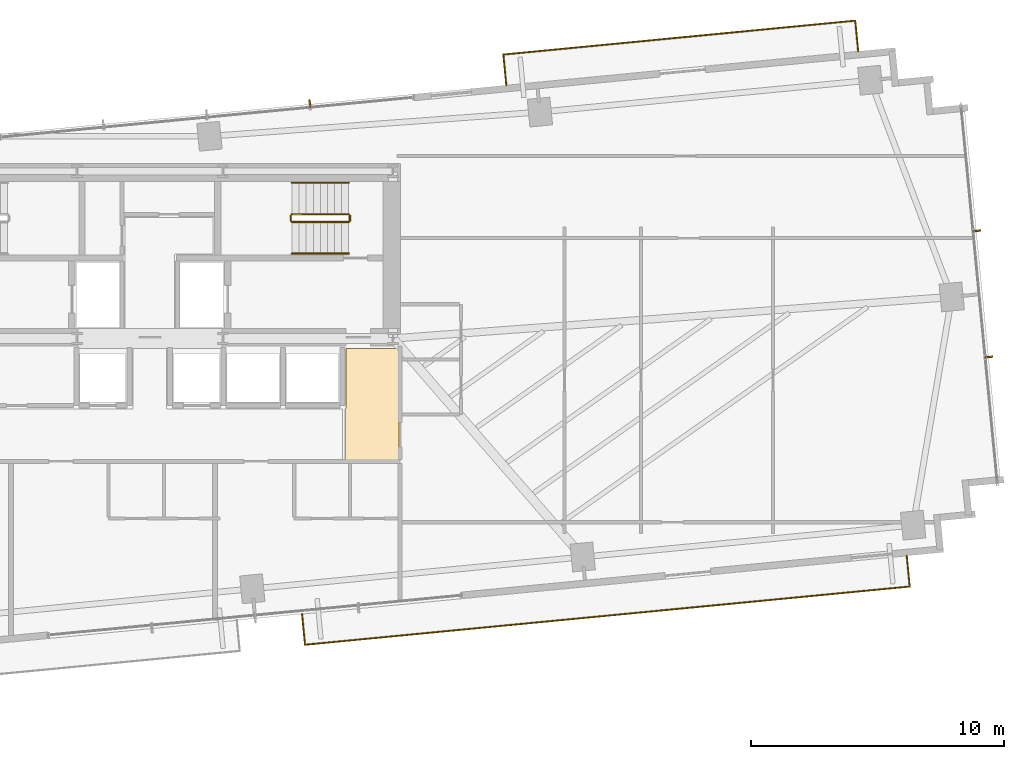
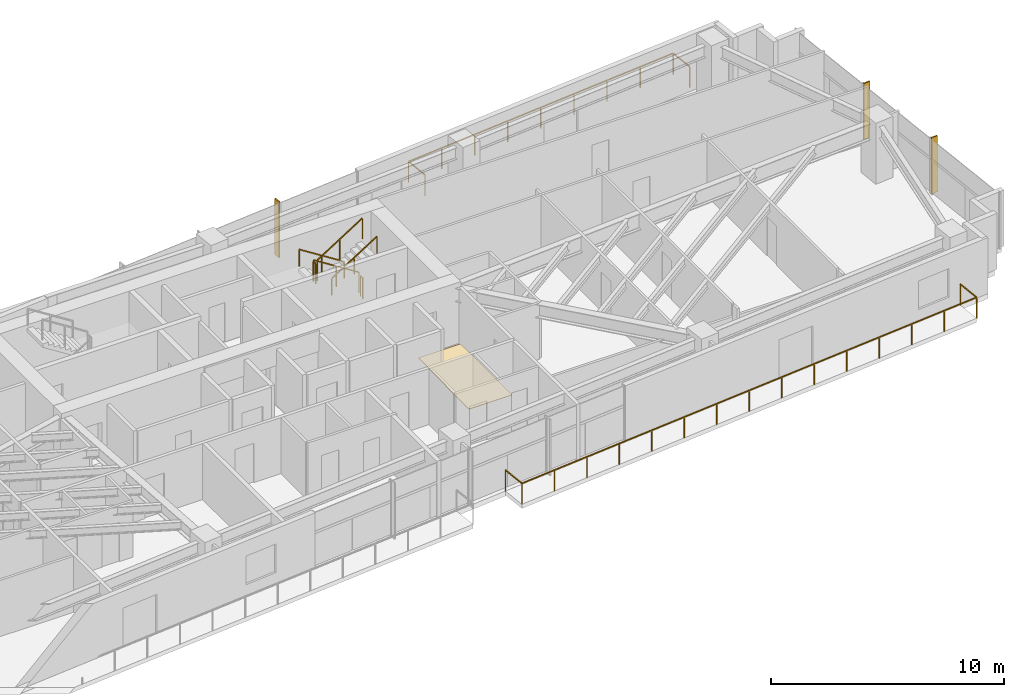
# One storey, part 25 of 25: 8 railings, 3 shading devices, 1 covering.
"""IFC4 building model written with IfcOpenShell, lengths in metres."""

from ifc_helpers import new_model, si_unit, direction, frame, origin, origin_2d, place, context, subcontext, project, spatial, polyline, rectangle, outline, extrude, source, transform, mapped, material, layer, layer_set, type_object, type_shapes, element, save


model = new_model("IFC4")

# Units and contexts
model_context = context("Model", 3, precision=1e-05, world=origin(), true_north=direction((0.0, 1.0)))
body_context = subcontext(model_context, "Body", "Model", "MODEL_VIEW")
ifc_project = project(units=[si_unit("LENGTHUNIT", "METRE"), si_unit("AREAUNIT", "SQUARE_METRE"), si_unit("VOLUMEUNIT", "CUBIC_METRE"), si_unit("PLANEANGLEUNIT", "RADIAN"), si_unit("MASSUNIT", "GRAM", prefix="KILO")], contexts=[model_context])

# Site, building, storey
site_placement = place(None, origin())
site = spatial("IfcSite", under=ifc_project, at=site_placement, CompositionType="ELEMENT")
building_placement = place(site_placement, origin())
building = spatial("IfcBuilding", under=site, at=building_placement, Name="Astriad Promenade Condominiums", CompositionType="ELEMENT")
storey_placement = place(building_placement, frame((0.0, 0.0, 103.39990234375)))
storey = spatial("IfcBuildingStorey", under=building, at=storey_placement, Name="L29", CompositionType="ELEMENT", Elevation=103.39990234375)

# Covering
ifc_material_1 = material(Name="Polished Lakefront Terrazzo Flooring")
ifc_layer = layer(ifc_material_1, 0.02001953125)
ifc_layer_set = layer_set([ifc_layer], Name="Polished Lakefront Terrazzo Flooring")
covering_type = type_object("IfcCoveringType", Name="COV-FLOR-TERRAZZO-20", PredefinedType="FLOORING", material=ifc_layer_set)
covering_placement = place(storey_placement, origin())
element("IfcCovering", 1, at=covering_placement, inside=storey, type_object=covering_type, Name="FLR-L29-COR-1", PredefinedType="FLOORING", context=body_context, shape_type="SweptSolid", body=[
    extrude(outline(polyline([(43.699951171875, 12.590087890625), (43.699951171875, 14.610107421875), (43.703857421875, 14.610107421875), (43.707763671875, 14.61083984375), (43.711669921875, 14.61181640625), (43.71533203125, 14.613037109375), (43.718994140625, 14.61474609375), (43.72216796875, 14.61669921875), (43.725341796875, 14.619140625), (43.728271484375, 14.62158203125), (43.73095703125, 14.62451171875), (43.7333984375, 14.627685546875), (43.7353515625, 14.631103515625), (43.737060546875, 14.634765625), (43.73828125, 14.638427734375), (43.7392578125, 14.64208984375), (43.73974609375, 14.64599609375), (43.739990234375, 14.64990234375), (43.739990234375, 17.010009765625), (45.840087890625, 17.010009765625), (45.840087890625, 12.590087890625), (43.699951171875, 12.590087890625)])), origin(), (0.0, 0.0, 1.0), 0.02001953125),
])

# Shading devices
ifc_material_2 = material(Name="Anodised aluminium 6063-T6 Black Fin", Category="aluminium")
shading_device_type = type_object("IfcShadingDeviceType", Name="FIN-BLACK-320", PredefinedType="USERDEFINED", material=ifc_material_2)
shared_shape_1 = source(origin(), body_context, "Body", "SweptSolid", [
    extrude(rectangle(XDim=0.06494140625, YDim=0.320068359375, at=origin_2d()), origin(), (0.0, 0.0, 1.0), 2.93994140625),
])
type_shapes(shading_device_type, [shared_shape_1])
for number, where, z_axis, x_axis, name in (
    (2, (42.31689453125, 26.656494140625, 0.000244140625), (0.0, 0.0, 1.0), (0.995396198367, 0.09584575252, 0.0), "CW-L29-N-FIN-03"),
    (3, (68.63330078125, 21.6455078125, 0.000244140625), (0.0, 0.0, 1.0), (0.09584575252, -0.995396198367, 0.0), "CW-L29-E-FIN-01"),
    (4, (69.1123046875, 16.668701171875, 0.000244140625), (0.0, 0.0, 1.0), (0.09584575252, -0.995396198367, 0.0), "CW-L29-E-FIN-02"),
):
    element("IfcShadingDevice", number, at=place(storey_placement, frame(where, z_axis=z_axis, x_axis=x_axis)), inside=storey, type_object=shading_device_type, Name=name, ObjectType="FIN", PredefinedType="USERDEFINED", context=body_context, shape_type="MappedRepresentation", body=[
        mapped(shared_shape_1, transform((0.0, 0.0, 0.0), scale=1.0)),
    ])

# Railings
ifc_material_3 = material(Name="Laminated Glass and Stainless Steel Balustrade", Category="steel")
railing_type_1 = type_object("IfcRailingType", Name="GRD-BALC-1120", PredefinedType="BALUSTRADE", material=ifc_material_3)
shared_shape_2 = source(origin(), body_context, "Body", "SweptSolid", [
    extrude(rectangle(XDim=0.048095703125, YDim=0.048095703125, at=origin_2d()), frame((0.0, 0.0, 1.09619140625), z_axis=(0.095857307208, -0.99539508571, 0.0), x_axis=(0.99539508571, 0.095857307208, 0.0)), (0.0, 0.0, 1.0), 1.219970703125),
    extrude(rectangle(XDim=0.048095703125, YDim=0.048095703125, at=origin_2d()), frame((0.116943359375, -1.21435546875, 1.09619140625), z_axis=(0.995396373437, 0.095843934331, 0.0), x_axis=(-0.095843934331, 0.995396373437, 0.0)), (0.0, 0.0, 1.0), 23.97998046875),
    extrude(rectangle(XDim=0.048095703125, YDim=0.048095703125, at=origin_2d()), frame((23.986572265625, 1.083984375, 1.09619140625), z_axis=(-0.095857307208, 0.99539508571, 0.0), x_axis=(-0.99539508571, -0.095857307208, 0.0)), (0.0, 0.0, 1.0), 1.219970703125),
    extrude(rectangle(XDim=0.0419921875, YDim=0.0419921875, at=origin_2d()), origin(), (0.0, 0.0, 1.0), 1.072021484375),
    extrude(rectangle(XDim=0.0419921875, YDim=0.0419921875, at=origin_2d()), frame((0.116943359375, -1.21435546875, 0.0)), (0.0, 0.0, 1.0), 1.072021484375),
    extrude(rectangle(XDim=0.0419921875, YDim=0.0419921875, at=origin_2d()), frame((1.822021484375, -1.05029296875, 0.0)), (0.0, 0.0, 1.0), 1.072021484375),
    extrude(rectangle(XDim=0.0419921875, YDim=0.0419921875, at=origin_2d()), frame((3.52685546875, -0.885986328125, 0.0)), (0.0, 0.0, 1.0), 1.072021484375),
    extrude(rectangle(XDim=0.0419921875, YDim=0.0419921875, at=origin_2d()), frame((5.23193359375, -0.721923828125, 0.0)), (0.0, 0.0, 1.0), 1.072021484375),
    extrude(rectangle(XDim=0.0419921875, YDim=0.0419921875, at=origin_2d()), frame((6.936767578125, -0.5576171875, 0.0)), (0.0, 0.0, 1.0), 1.072021484375),
    extrude(rectangle(XDim=0.0419921875, YDim=0.0419921875, at=origin_2d()), frame((8.641845703125, -0.3935546875, 0.0)), (0.0, 0.0, 1.0), 1.072021484375),
    extrude(rectangle(XDim=0.0419921875, YDim=0.0419921875, at=origin_2d()), frame((10.3466796875, -0.229248046875, 0.0)), (0.0, 0.0, 1.0), 1.072021484375),
    extrude(rectangle(XDim=0.0419921875, YDim=0.0419921875, at=origin_2d()), frame((12.0517578125, -0.065185546875, 0.0)), (0.0, 0.0, 1.0), 1.072021484375),
    extrude(rectangle(XDim=0.0419921875, YDim=0.0419921875, at=origin_2d()), frame((13.7568359375, 0.098876953125, 0.0)), (0.0, 0.0, 1.0), 1.072021484375),
    extrude(rectangle(XDim=0.0419921875, YDim=0.0419921875, at=origin_2d()), frame((15.461669921875, 0.26318359375, 0.0)), (0.0, 0.0, 1.0), 1.072021484375),
    extrude(rectangle(XDim=0.0419921875, YDim=0.0419921875, at=origin_2d()), frame((17.166748046875, 0.42724609375, 0.0)), (0.0, 0.0, 1.0), 1.072021484375),
    extrude(rectangle(XDim=0.0419921875, YDim=0.0419921875, at=origin_2d()), frame((18.87158203125, 0.591552734375, 0.0)), (0.0, 0.0, 1.0), 1.072021484375),
    extrude(rectangle(XDim=0.0419921875, YDim=0.0419921875, at=origin_2d()), frame((20.57666015625, 0.755615234375, 0.0)), (0.0, 0.0, 1.0), 1.072021484375),
    extrude(rectangle(XDim=0.0419921875, YDim=0.0419921875, at=origin_2d()), frame((22.281494140625, 0.919921875, 0.0)), (0.0, 0.0, 1.0), 1.072021484375),
    extrude(rectangle(XDim=0.0419921875, YDim=0.0419921875, at=origin_2d()), frame((23.986572265625, 1.083984375, 0.0)), (0.0, 0.0, 1.0), 1.072021484375),
    extrude(rectangle(XDim=0.0419921875, YDim=0.0419921875, at=origin_2d()), frame((23.86962890625, 2.29833984375, 0.0)), (0.0, 0.0, 1.0), 1.072021484375),
])
railing_1_placement = place(storey_placement, frame((42.005859375, 6.52392578125, 0.0)))
element("IfcRailing", 5, at=railing_1_placement, inside=storey, type_object=railing_type_1, Name="GRD-BALC-L29-SE", PredefinedType="BALUSTRADE", context=body_context, shape_type="MappedRepresentation", body=[
    mapped(shared_shape_2, transform((0.0, 0.0, 0.0), scale=1.0)),
])
shared_shape_3 = source(origin(), body_context, "Body", "SweptSolid", [
    extrude(rectangle(XDim=0.048095703125, YDim=0.048095703125, at=origin_2d()), frame((0.0, 0.0, 1.09619140625), z_axis=(-0.095659020692, 0.99541416092, 0.0), x_axis=(-0.99541416092, -0.095659020692, 0.0)), (0.0, 0.0, 1.0), 1.219970703125),
    extrude(rectangle(XDim=0.048095703125, YDim=0.048095703125, at=origin_2d()), frame((-0.11669921875, 1.21435546875, 1.09619140625), z_axis=(-0.995396103456, -0.095846738209, 0.0), x_axis=(0.095846738209, -0.995396103456, 0.0)), (0.0, 0.0, 1.0), 13.9560546875),
    extrude(rectangle(XDim=0.048095703125, YDim=0.048095703125, at=origin_2d()), frame((-14.008544921875, -0.123291015625, 1.09619140625), z_axis=(0.095857307208, -0.99539508571, 0.0), x_axis=(0.99539508571, 0.095857307208, 0.0)), (0.0, 0.0, 1.0), 1.219970703125),
    extrude(rectangle(XDim=0.0419921875, YDim=0.0419921875, at=origin_2d()), origin(), (0.0, 0.0, 1.0), 1.072021484375),
    extrude(rectangle(XDim=0.0419921875, YDim=0.0419921875, at=origin_2d()), frame((-0.11669921875, 1.21435546875, 0.0)), (0.0, 0.0, 1.0), 1.072021484375),
    extrude(rectangle(XDim=0.0419921875, YDim=0.0419921875, at=origin_2d()), frame((-1.853271484375, 1.047119140625, 0.0)), (0.0, 0.0, 1.0), 1.072021484375),
    extrude(rectangle(XDim=0.0419921875, YDim=0.0419921875, at=origin_2d()), frame((-3.589599609375, 0.8798828125, 0.0)), (0.0, 0.0, 1.0), 1.072021484375),
    extrude(rectangle(XDim=0.0419921875, YDim=0.0419921875, at=origin_2d()), frame((-5.326171875, 0.712646484375, 0.0)), (0.0, 0.0, 1.0), 1.072021484375),
    extrude(rectangle(XDim=0.0419921875, YDim=0.0419921875, at=origin_2d()), frame((-7.0625, 0.54541015625, 0.0)), (0.0, 0.0, 1.0), 1.072021484375),
    extrude(rectangle(XDim=0.0419921875, YDim=0.0419921875, at=origin_2d()), frame((-8.799072265625, 0.37841796875, 0.0)), (0.0, 0.0, 1.0), 1.072021484375),
    extrude(rectangle(XDim=0.0419921875, YDim=0.0419921875, at=origin_2d()), frame((-10.53564453125, 0.211181640625, 0.0)), (0.0, 0.0, 1.0), 1.072021484375),
    extrude(rectangle(XDim=0.0419921875, YDim=0.0419921875, at=origin_2d()), frame((-12.27197265625, 0.0439453125, 0.0)), (0.0, 0.0, 1.0), 1.072021484375),
    extrude(rectangle(XDim=0.0419921875, YDim=0.0419921875, at=origin_2d()), frame((-14.008544921875, -0.123291015625, 0.0)), (0.0, 0.0, 1.0), 1.072021484375),
    extrude(rectangle(XDim=0.0419921875, YDim=0.0419921875, at=origin_2d()), frame((-13.8916015625, -1.337646484375, 0.0)), (0.0, 0.0, 1.0), 1.072021484375),
])
type_shapes(railing_type_1, [shared_shape_2, shared_shape_3])
railing_2_placement = place(storey_placement, frame((63.95849609375, 28.730224609375, 0.0)))
element("IfcRailing", 6, at=railing_2_placement, inside=storey, type_object=railing_type_1, Name="GRD-BALC-L29-NE", PredefinedType="BALUSTRADE", context=body_context, shape_type="MappedRepresentation", body=[
    mapped(shared_shape_3, transform((0.0, 0.0, 0.0), scale=1.0)),
])
ifc_material_4 = material(Name="Painted Galvanised Steel Guardrail", Category="steel")
railing_type_2 = type_object("IfcRailingType", Name="GRD-STAIR-1100", PredefinedType="GUARDRAIL", material=ifc_material_4)
shared_shape_4 = source(origin(), body_context, "Body", "SweptSolid", [
    extrude(rectangle(XDim=0.048095703125, YDim=0.048095703125, at=origin_2d()), frame((0.0, 0.0, 1.076171875), z_axis=(0.84418770128, 0.0, 0.536047689118), x_axis=(0.0, 1.0, 0.0)), (0.0, 0.0, 1.0), 2.6533203125),
    extrude(rectangle(XDim=0.0419921875, YDim=0.0419921875, at=origin_2d()), origin(), (0.0, 0.0, 1.0), 1.052001953125),
    extrude(rectangle(XDim=0.0419921875, YDim=0.0419921875, at=origin_2d()), frame((1.1201171875, 0.0, 0.711181640625)), (0.0, 0.0, 1.0), 1.052001953125),
    extrude(rectangle(XDim=0.0419921875, YDim=0.0419921875, at=origin_2d()), frame((2.239990234375, 0.0, 1.42236328125)), (0.0, 0.0, 1.0), 1.052001953125),
])
railing_3_placement = place(storey_placement, frame((41.610107421875, 22.0, 1.77783203125)))
element("IfcRailing", 7, at=railing_3_placement, inside=storey, type_object=railing_type_2, Name="L29 ST-2 stair guard 3", PredefinedType="GUARDRAIL", context=body_context, shape_type="MappedRepresentation", body=[
    mapped(shared_shape_4, transform((0.0, 0.0, 0.0), scale=1.0)),
])
shared_shape_5 = source(origin(), body_context, "Body", "SweptSolid", [
    extrude(rectangle(XDim=0.048095703125, YDim=0.048095703125, at=origin_2d()), frame((0.0, 0.0, 1.076171875), z_axis=(-0.8442293374, 0.0, 0.53598211339), x_axis=(0.0, -1.0, 0.0)), (0.0, 0.0, 1.0), 2.6533203125),
    extrude(rectangle(XDim=0.0419921875, YDim=0.0419921875, at=origin_2d()), origin(), (0.0, 0.0, 1.0), 1.052001953125),
    extrude(rectangle(XDim=0.0419921875, YDim=0.0419921875, at=origin_2d()), frame((-1.1201171875, 0.0, 0.7109375)), (0.0, 0.0, 1.0), 1.052001953125),
    extrude(rectangle(XDim=0.0419921875, YDim=0.0419921875, at=origin_2d()), frame((-2.239990234375, 0.0, 1.422119140625)), (0.0, 0.0, 1.0), 1.052001953125),
])
railing_4_placement = place(storey_placement, frame((43.85009765625, 22.300048828125, 0.177978515625)))
element("IfcRailing", 8, at=railing_4_placement, inside=storey, type_object=railing_type_2, Name="L29 ST-2 stair guard 1", PredefinedType="GUARDRAIL", context=body_context, shape_type="MappedRepresentation", body=[
    mapped(shared_shape_5, transform((0.0, 0.0, 0.0), scale=1.0)),
])
ifc_material_5 = material(Name="Brushed Stainless Steel Handrail", Category="steel")
railing_type_3 = type_object("IfcRailingType", Name="HRL-STAIR-920", PredefinedType="HANDRAIL", material=ifc_material_5)
shared_shape_6 = source(origin(), body_context, "Body", "SweptSolid", [
    extrude(rectangle(XDim=0.048095703125, YDim=0.048095703125, at=origin_2d()), frame((0.0, 0.0, 0.8759765625), z_axis=(0.84418770128, 0.0, 0.536047689118), x_axis=(0.0, 1.0, 0.0)), (0.0, 0.0, 1.0), 2.6533203125),
    extrude(rectangle(XDim=0.0419921875, YDim=0.0419921875, at=origin_2d()), origin(), (0.0, 0.0, 1.0), 0.851806640625),
    extrude(rectangle(XDim=0.0419921875, YDim=0.0419921875, at=origin_2d()), frame((1.1201171875, 0.0, 0.711181640625)), (0.0, 0.0, 1.0), 0.851806640625),
    extrude(rectangle(XDim=0.0419921875, YDim=0.0419921875, at=origin_2d()), frame((2.239990234375, 0.0, 1.42236328125)), (0.0, 0.0, 1.0), 0.851806640625),
])
railing_5_placement = place(storey_placement, frame((41.610107421875, 20.75, 1.77783203125)))
element("IfcRailing", 9, at=railing_5_placement, inside=storey, type_object=railing_type_3, Name="L29 ST-2 stair handrail 2", PredefinedType="HANDRAIL", context=body_context, shape_type="MappedRepresentation", body=[
    mapped(shared_shape_6, transform((0.0, 0.0, 0.0), scale=1.0)),
])
shared_shape_7 = source(origin(), body_context, "Body", "SweptSolid", [
    extrude(rectangle(XDim=0.048095703125, YDim=0.048095703125, at=origin_2d()), frame((0.0, 0.0, 0.8759765625), z_axis=(-0.8442293374, 0.0, 0.53598211339), x_axis=(0.0, -1.0, 0.0)), (0.0, 0.0, 1.0), 2.6533203125),
    extrude(rectangle(XDim=0.0419921875, YDim=0.0419921875, at=origin_2d()), origin(), (0.0, 0.0, 1.0), 0.851806640625),
    extrude(rectangle(XDim=0.0419921875, YDim=0.0419921875, at=origin_2d()), frame((-1.1201171875, 0.0, 0.7109375)), (0.0, 0.0, 1.0), 0.851806640625),
    extrude(rectangle(XDim=0.0419921875, YDim=0.0419921875, at=origin_2d()), frame((-2.239990234375, 0.0, 1.422119140625)), (0.0, 0.0, 1.0), 0.851806640625),
])
type_shapes(railing_type_3, [shared_shape_6, shared_shape_7])
railing_6_placement = place(storey_placement, frame((43.85009765625, 23.550048828125, 0.177978515625)))
element("IfcRailing", 10, at=railing_6_placement, inside=storey, type_object=railing_type_3, Name="L29 ST-2 stair handrail 1", PredefinedType="HANDRAIL", context=body_context, shape_type="MappedRepresentation", body=[
    mapped(shared_shape_7, transform((0.0, 0.0, 0.0), scale=1.0)),
])
shared_shape_8 = source(origin(), body_context, "Body", "SweptSolid", [
    extrude(rectangle(XDim=0.048095703125, YDim=0.048095703125, at=origin_2d()), frame((0.0, 0.0, 1.076171875), z_axis=(0.0, -1.0, 0.0), x_axis=(1.0, 0.0, 0.0)), (0.0, 0.0, 1.0), 0.199951171875),
    extrude(rectangle(XDim=0.0419921875, YDim=0.0419921875, at=origin_2d()), origin(), (0.0, 0.0, 1.0), 1.052001953125),
    extrude(rectangle(XDim=0.0419921875, YDim=0.0419921875, at=origin_2d()), frame((0.0, -0.199951171875, 0.0)), (0.0, 0.0, 1.0), 1.052001953125),
])
type_shapes(railing_type_2, [shared_shape_4, shared_shape_5, shared_shape_8])
for number, where, name in (
    (11, (41.56005859375, 22.25, 1.60009765625), "L29 ST-2 stair guard 2"),
    (12, (43.89990234375, 22.25, 0.0), "L29 ST-2 stair guard 4"),
):
    element("IfcRailing", number, at=place(storey_placement, frame(where)), inside=storey, type_object=railing_type_2, Name=name, PredefinedType="GUARDRAIL", context=body_context, shape_type="MappedRepresentation", body=[
        mapped(shared_shape_8, transform((0.0, 0.0, 0.0), scale=1.0)),
    ])

save(model, "model.ifc")
